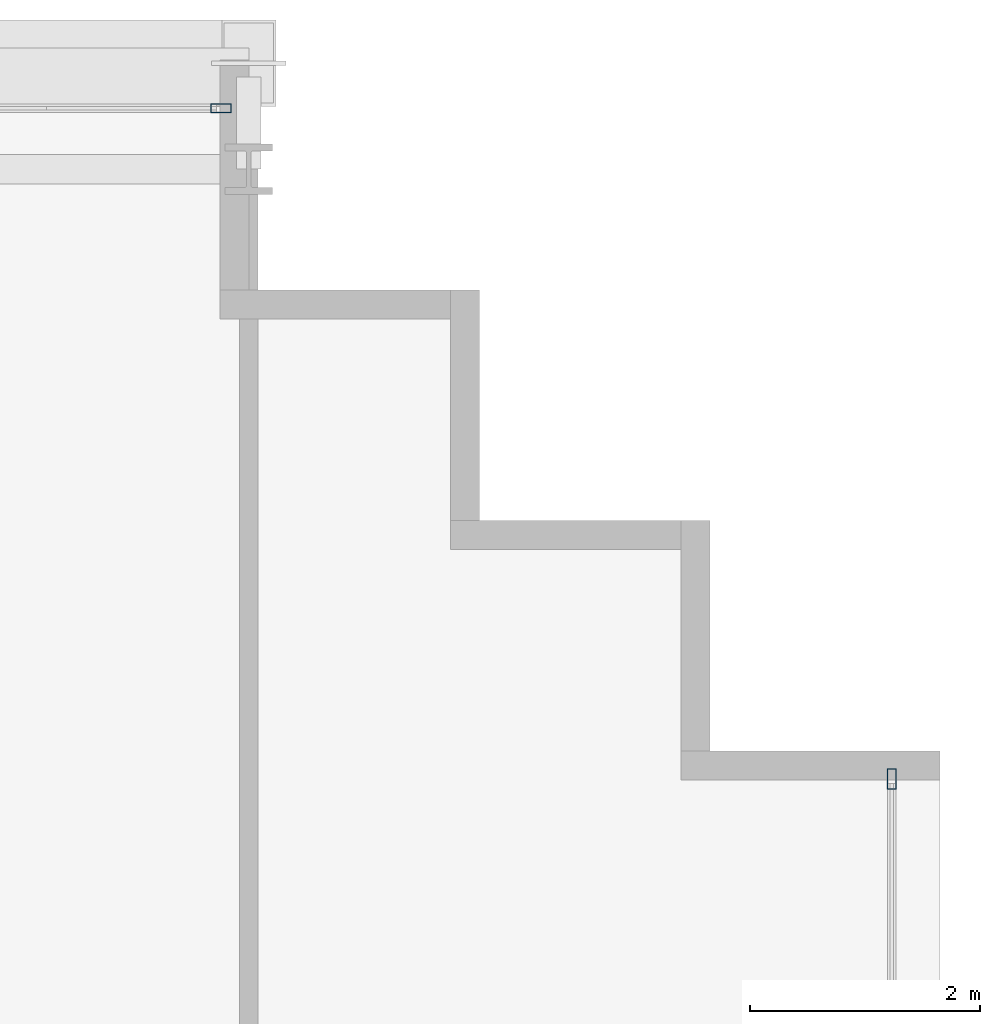
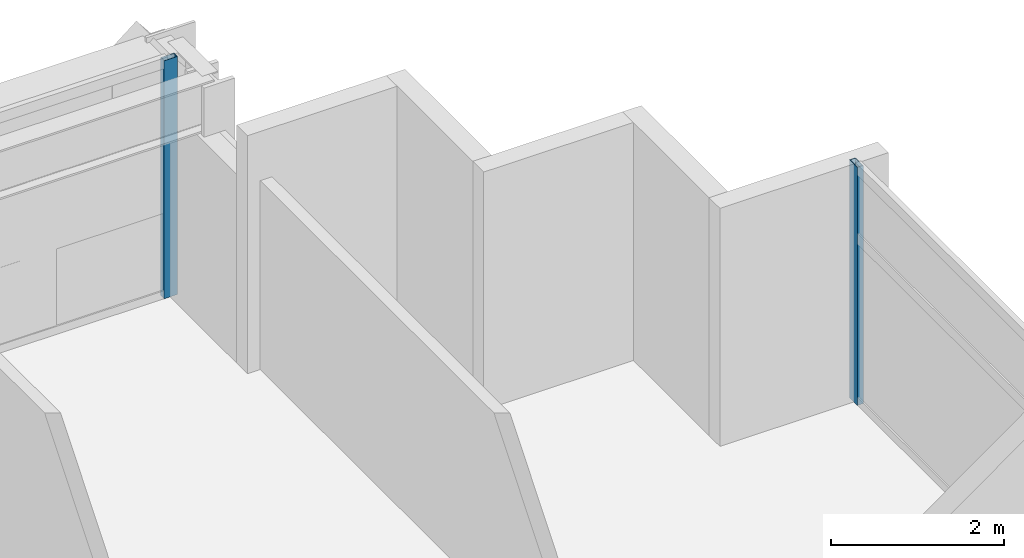
# One storey, part 22 of 36: 2 members, 2 elements without a shape of their own.
"""IFC4 building model written with IfcOpenShell, lengths in metres."""

from ifc_helpers import new_model, si_unit, direction, frame, origin, origin_2d, place, context, subcontext, project, spatial, hollow_rectangle, extrude, source, transform, mapped, material, layer, layer_set, material_profile, profile_set, type_object, element, aggregate, save


model = new_model("IFC4")

# Units and contexts
model_context = context("Model", 3, precision=1e-05, world=origin(), true_north=direction((0.0, 1.0)))
body_context = subcontext(model_context, "Body", "Model", "MODEL_VIEW")
ifc_project = project(units=[si_unit("LENGTHUNIT", "METRE"), si_unit("AREAUNIT", "SQUARE_METRE"), si_unit("VOLUMEUNIT", "CUBIC_METRE"), si_unit("PLANEANGLEUNIT", "RADIAN"), si_unit("MASSUNIT", "GRAM", prefix="KILO")], contexts=[model_context])

# Site, building, storey
site_placement = place(None, origin())
site = spatial("IfcSite", under=ifc_project, at=site_placement, CompositionType="ELEMENT")
building_placement = place(site_placement, origin())
building = spatial("IfcBuilding", under=site, at=building_placement, Name="Ocotamira Hotel", CompositionType="ELEMENT")
storey_placement = place(building_placement, frame((0.0, 0.0, 136.800048828125)))
storey = spatial("IfcBuildingStorey", under=building, at=storey_placement, Name="L34", CompositionType="ELEMENT", Elevation=136.800048828125)

# Curtain wall, member
ifc_material_1 = material(Name="Anodised pale-metal aluminium and solar glass", Category="aluminium")
ifc_layer = layer(ifc_material_1, 0.179931640625)
ifc_layer_set = layer_set([ifc_layer], Name="Anodised pale-metal aluminium and solar glass")
curtain_wall_type = type_object("IfcCurtainWallType", Name="CW-SYS3-Z2", PredefinedType="NOTDEFINED", material=ifc_layer_set)
curtain_wall_1_placement = place(storey_placement, origin())
curtain_wall_1 = element("IfcCurtainWall", 1, at=curtain_wall_1_placement, inside=storey, type_object=curtain_wall_type, Name="L34 Curtain Wall CW-3 CW-L34-N", PredefinedType="NOTDEFINED")
ifc_material_2 = material(Name="Anodised pale-metal aluminium 6063-T6", Category="aluminium")
ifc_material_profile = material_profile(ifc_material_2, hollow_rectangle(XDim=0.080078125, YDim=0.179931640625, WallThickness=0.006103515625, at=origin_2d()), Name="HSS180X80X6")
ifc_profile_set = profile_set([ifc_material_profile], Name="Anodised pale-metal aluminium 6063-T6")
member_type = type_object("IfcMemberType", Name="CWM-180X75", PredefinedType="MULLION", material=ifc_profile_set)
shared_shape = source(origin(), body_context, "Body", "SweptSolid", [
    extrude(hollow_rectangle(XDim=0.080078125, YDim=0.179931640625, WallThickness=0.006103515625, at=origin_2d()), origin(), (0.0, 0.0, 1.0), 3.35986328125),
])
member_1_placement = place(storey_placement, frame((49.760009765625, 49.580078125, 0.0), z_axis=(0.0, 0.0, 1.0), x_axis=(0.0, 1.0, 0.0)))
member_1 = element("IfcMember", 2, at=member_1_placement, type_object=member_type, Name="CW-3 mullion 10", PredefinedType="MULLION", context=body_context, shape_type="MappedRepresentation", body=[
    mapped(shared_shape, transform((0.0, 0.0, 0.0), scale=1.0)),
])
aggregate(curtain_wall_1, [member_1])

curtain_wall_2_placement = place(storey_placement, origin())
curtain_wall_2 = element("IfcCurtainWall", 3, at=curtain_wall_2_placement, inside=storey, type_object=curtain_wall_type, Name="L34 Curtain Wall CW-3 CW-L34-E", PredefinedType="NOTDEFINED")
member_2_placement = place(storey_placement, frame((55.580078125, 43.760009765625, 0.0), z_axis=(0.0, 0.0, 1.0), x_axis=(-1.0, 0.0, 0.0)))
member_2 = element("IfcMember", 4, at=member_2_placement, type_object=member_type, Name="CW-3 mullion 8", PredefinedType="MULLION", context=body_context, shape_type="MappedRepresentation", body=[
    mapped(shared_shape, transform((0.0, 0.0, 0.0), scale=1.0)),
])
aggregate(curtain_wall_2, [member_2])

save(model, "model.ifc")
